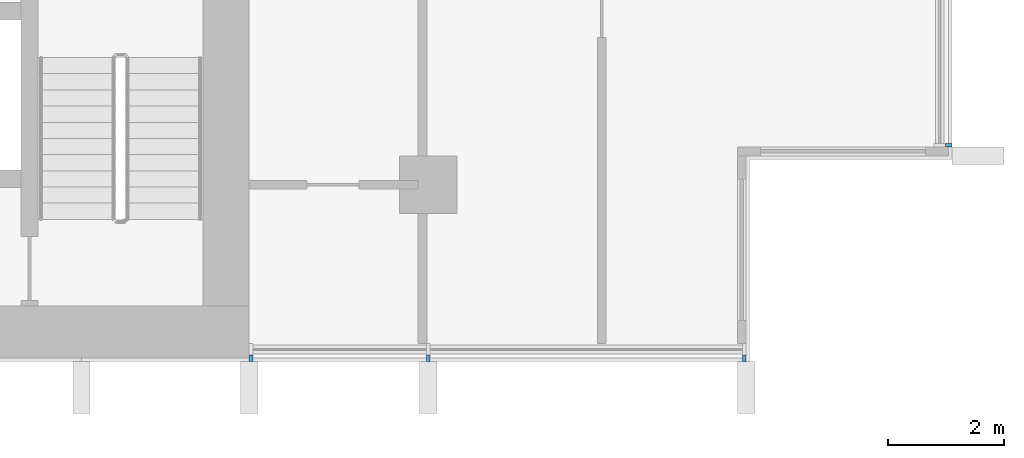
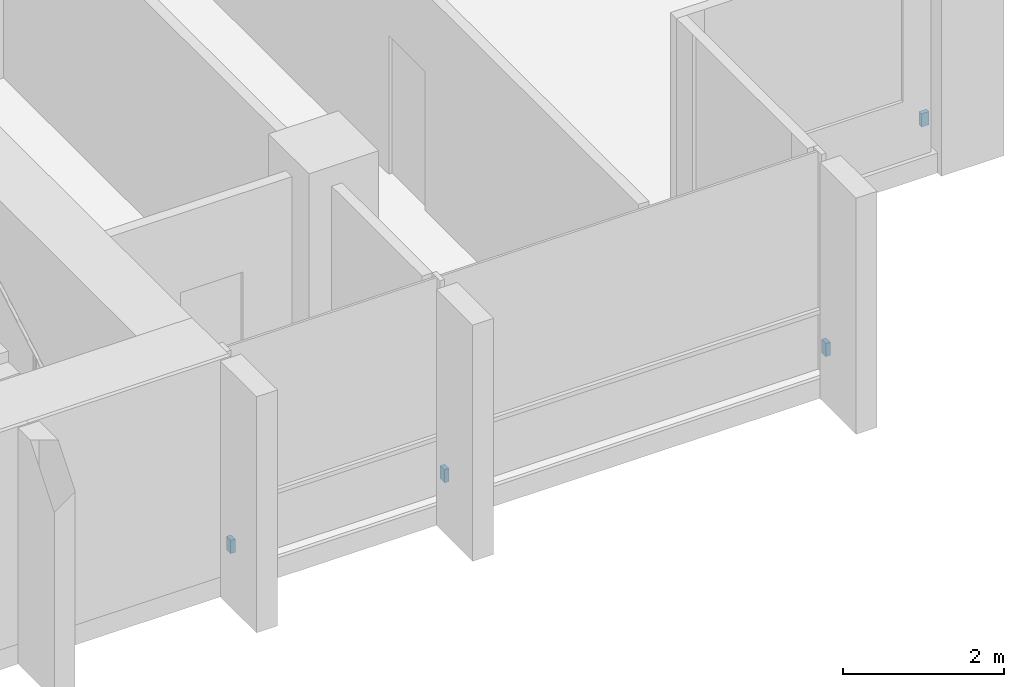
# One storey, part 15 of 18: 4 discrete accessories.
"""IFC4 building model written with IfcOpenShell, lengths in metres."""

import ifcopenshell
import ifcopenshell.guid

model = None  # the IFC model being written
_history = None  # IfcOwnerHistory: only IFC2X3 demands one
_inside = {}  # id of a spatial element -> (the spatial element, [elements in it])
_under = {}  # id of a project, library or spatial element -> (it, [spatial elements below it])
_declared = {}  # id of a project -> (the project, [libraries it declares])
_typed = {}  # id of a type object -> (the type object, [elements of that type])
_made_of = {}  # id of a material, layer set ... -> (it, [elements and type objects made of it])


def new_model(schema):
    """Start an empty IFC model of exactly this schema.

    Asked for "IFC4X3", IfcOpenShell would pick the latest addendum, in which some entities
    have other attributes; the version numbers below select the first issue.
    IFC2X3 requires an IfcOwnerHistory on every rooted entity: one is made here for all.
    """
    global model, _history
    if schema == "IFC4X3":
        model = ifcopenshell.file(schema_version=(4, 3, 0, 0))
    else:
        model = ifcopenshell.file(schema=schema)
    _inside.clear()
    _under.clear()
    _declared.clear()
    _typed.clear()
    _made_of.clear()
    _history = None
    if model.schema == "IFC2X3":
        org = make("IfcOrganization", Name="unknown")
        user = make(
            "IfcPersonAndOrganization",
            ThePerson=make("IfcPerson", FamilyName="unknown"),
            TheOrganization=org,
        )
        app = make(
            "IfcApplication",
            ApplicationDeveloper=org,
            Version="unknown",
            ApplicationFullName="unknown",
            ApplicationIdentifier="unknown",
        )
        _history = make(
            "IfcOwnerHistory",
            OwningUser=user,
            OwningApplication=app,
            ChangeAction="ADDED",
            CreationDate=0,
        )
    return model


def make(cls, **values):
    """One entity of the class cls with the attributes given. An attribute that is None is left unset."""
    return model.create_entity(
        cls, **{name: value for name, value in values.items() if value is not None}
    )


def rooted(cls, **values):
    """An entity with a GlobalId (a new one), such as an element, a storey or a relation."""
    return make(cls, GlobalId=ifcopenshell.guid.new(), OwnerHistory=_history, **values)


def si_unit(unit_type, name, prefix=None):
    """IfcSIUnit, for example si_unit("LENGTHUNIT", "METRE", prefix="MILLI")."""
    return make("IfcSIUnit", UnitType=unit_type, Prefix=prefix, Name=name)


def assignment(units):
    """IfcUnitAssignment: the units of a project."""
    return None if units is None else make("IfcUnitAssignment", Units=units)


def point(xyz):
    """IfcCartesianPoint."""
    return None if xyz is None else make("IfcCartesianPoint", Coordinates=xyz)


def direction(xyz):
    """IfcDirection."""
    return None if xyz is None else make("IfcDirection", DirectionRatios=xyz)


def frame(location, z_axis=None, x_axis=None):
    """IfcAxis2Placement3D, a coordinate frame: its origin and axes. An axis left out is left unset."""
    return make(
        "IfcAxis2Placement3D",
        Location=point(location),
        Axis=direction(z_axis),
        RefDirection=direction(x_axis),
    )


def frame_2d(location, x_axis=None):
    """IfcAxis2Placement2D, a coordinate frame in the plane: its origin and x axis."""
    return make(
        "IfcAxis2Placement2D", Location=point(location), RefDirection=direction(x_axis)
    )


def origin():
    """The frame at (0, 0, 0) with its axes left unset."""
    return frame((0.0, 0.0, 0.0))


def origin_2d():
    """The frame at (0, 0) in the plane with its x axis left unset."""
    return frame_2d((0.0, 0.0))


def place(relative_to, where):
    """IfcLocalPlacement: puts the frame where relative to a parent placement (None: the world)."""
    return make(
        "IfcLocalPlacement", PlacementRelTo=relative_to, RelativePlacement=where
    )


def context(
    kind, dimensions, precision=None, world=None, true_north=None, identifier=None
):
    """IfcGeometricRepresentationContext, for example the 3D "Model" context."""
    return make(
        "IfcGeometricRepresentationContext",
        ContextIdentifier=identifier,
        ContextType=kind,
        CoordinateSpaceDimension=dimensions,
        Precision=precision,
        WorldCoordinateSystem=world,
        TrueNorth=true_north,
    )


def subcontext(parent, identifier, kind, view, scale=None):
    """IfcGeometricRepresentationSubContext, for example "Body" below "Model"."""
    return make(
        "IfcGeometricRepresentationSubContext",
        ContextIdentifier=identifier,
        ContextType=kind,
        ParentContext=parent,
        TargetScale=scale,
        TargetView=view,
    )


def project(units=None, contexts=None):
    """IfcProject with its units and contexts."""
    return rooted(
        "IfcProject",
        Name="project",
        RepresentationContexts=contexts,
        UnitsInContext=assignment(units),
    )


def spatial(cls, under=None, at=None, **own):
    """A site, building, storey or space (cls), placed at a placement, below another one or the project."""
    s = rooted(cls, ObjectPlacement=at, **own)
    if under is not None:
        _under.setdefault(under.id(), (under, []))[1].append(s)
    return s


def profile(cls, at=None, kind="AREA", **sizes):
    """A parametric profile (cls). Its sizes go by their IFC names, for example OverallWidth=200.0."""
    return make(cls, ProfileType=kind, Position=at, **sizes)


def rectangle(**sizes):
    """IfcRectangleProfileDef."""
    return profile("IfcRectangleProfileDef", **sizes)


def extrude(swept, where, along, depth):
    """IfcExtrudedAreaSolid: the profile swept, set in the frame where, extruded along a direction by depth."""
    return make(
        "IfcExtrudedAreaSolid",
        SweptArea=swept,
        Position=where,
        ExtrudedDirection=direction(along),
        Depth=depth,
    )


def shape(context_of_items, identifier, shape_type, items):
    """IfcShapeRepresentation: the items that make up one representation, for example the "Body"."""
    return make(
        "IfcShapeRepresentation",
        ContextOfItems=context_of_items,
        RepresentationIdentifier=identifier,
        RepresentationType=shape_type,
        Items=items,
    )


def material(Name=None, Category=None):
    """IfcMaterial."""
    return make("IfcMaterial", Name=Name, Category=Category)


def made_of(thing, what):
    """Note that an element or type object is made of a material, layer set ...; save() writes the relation."""
    if what is not None:
        _made_of.setdefault(what.id(), (what, []))[1].append(thing)
    return thing


def type_object(cls, material=None, **own):
    """A type object (cls), such as IfcWallType, which elements share."""
    return made_of(rooted(cls, **own), material)


def element(
    cls,
    number,
    at=None,
    inside=None,
    cuts=None,
    type_object=None,
    material=None,
    context=None,
    identifier="Body",
    shape_type=None,
    held_by="IfcProductDefinitionShape",
    body=None,
    shapes=None,
    **own,
):
    """One element of the class cls, such as IfcWall. Its Tag is "e" and its number.

    at: its placement. inside: the storey or other place that contains it. cuts: it is an
    opening in that element (IfcRelVoidsElement). A single representation is given by context,
    identifier, shape_type and body (its items); several are given by shapes. held_by: the class
    of the entity that holds the representations. save() writes the other relations.
    """
    e = rooted(cls, Tag="e%d" % number, ObjectPlacement=at, **own)
    if body is not None:
        shapes = [shape(context, identifier, shape_type, body)]
    if shapes is not None:
        e.Representation = make(held_by, Representations=shapes)
    if inside is not None:
        _inside.setdefault(inside.id(), (inside, []))[1].append(e)
    if cuts is not None:
        rooted(
            "IfcRelVoidsElement", RelatingBuildingElement=cuts, RelatedOpeningElement=e
        )
    if type_object is not None:
        _typed.setdefault(type_object.id(), (type_object, []))[1].append(e)
    return made_of(e, material)


def aggregate(whole, parts):
    """IfcRelAggregates: a whole, such as a stair, and the parts it consists of."""
    return rooted("IfcRelAggregates", RelatingObject=whole, RelatedObjects=parts)


def save(model, path):
    """Write the relations noted so far, then the file.

    IfcRelAggregates (storeys below a building ...), IfcRelContainedInSpatialStructure (elements
    in a storey), IfcRelDefinesByType, IfcRelAssociatesMaterial and IfcRelDeclares: one each for
    every whole, place, type object, material and project.
    """
    for whole, parts in _under.values():
        aggregate(whole, parts)
    for where, things in _inside.values():
        rooted(
            "IfcRelContainedInSpatialStructure",
            RelatedElements=things,
            RelatingStructure=where,
        )
    for kind, things in _typed.values():
        rooted("IfcRelDefinesByType", RelatedObjects=things, RelatingType=kind)
    for what, things in _made_of.values():
        rooted("IfcRelAssociatesMaterial", RelatedObjects=things, RelatingMaterial=what)
    for by, libraries in _declared.values():
        rooted("IfcRelDeclares", RelatingContext=by, RelatedDefinitions=libraries)
    model.write(path)


model = new_model("IFC4")

# Units and contexts
model_context = context("Model", 3, precision=1e-05, world=origin(), true_north=direction((0.0, 1.0)))
body_context = subcontext(model_context, "Body", "Model", "MODEL_VIEW")
ifc_project = project(units=[si_unit("LENGTHUNIT", "METRE"), si_unit("AREAUNIT", "SQUARE_METRE"), si_unit("VOLUMEUNIT", "CUBIC_METRE"), si_unit("PLANEANGLEUNIT", "RADIAN"), si_unit("MASSUNIT", "GRAM", prefix="KILO")], contexts=[model_context])

# Site, building, storey
site_placement = place(None, origin())
site = spatial("IfcSite", under=ifc_project, at=site_placement, CompositionType="ELEMENT")
building_placement = place(site_placement, origin())
building = spatial("IfcBuilding", under=site, at=building_placement, Name="Finial Court Residences", CompositionType="ELEMENT")
storey_placement = place(building_placement, frame((0.0, 0.0, 109.89990234375)))
storey = spatial("IfcBuildingStorey", under=building, at=storey_placement, Name="L27", CompositionType="ELEMENT", Elevation=109.89990234375)

# Discrete accessories
ifc_material = material(Name="Stainless steel 316", Category="steel")
discrete_accessory_type = type_object("IfcDiscreteAccessoryType", Name="Fin bracket, stainless steel 65 x 110 x 200", PredefinedType="BRACKET", material=ifc_material)
discrete_accessory_placement = place(storey_placement, frame((25.5048828125, -21.8173828125, 0.30029296875), z_axis=(0.0, 0.0, 1.0), x_axis=(1.0, 0.0, 0.0)))
element("IfcDiscreteAccessory", 1, at=discrete_accessory_placement, inside=storey, type_object=discrete_accessory_type, Name="E-L27-FIN-E9-BRK", PredefinedType="BRACKET", context=body_context, shape_type="SweptSolid", body=[
    extrude(rectangle(XDim=0.110107421875, YDim=0.06494140625, at=origin_2d()), origin(), (0.0, 0.0, 1.0), 0.199951171875),
])
for number, where, z_axis, x_axis, name in (
    (2, (13.4326171875, -25.5048828125, 0.30029296875), (0.0, 0.0, 1.0), (1.0, 0.0, 0.0), "E-L27-FIN-S23-BRK"),
    (3, (16.5, -25.5048828125, 0.30029296875), (0.0, 0.0, 1.0), (1.0, 0.0, 0.0), "E-L27-FIN-S24-BRK"),
    (4, (21.967529296875, -25.5048828125, 0.30029296875), (0.0, 0.0, 1.0), (1.0, 0.0, 0.0), "E-L27-FIN-S25-BRK"),
):
    element("IfcDiscreteAccessory", number, at=place(storey_placement, frame(where, z_axis=z_axis, x_axis=x_axis)), inside=storey, type_object=discrete_accessory_type, Name=name, PredefinedType="BRACKET", context=body_context, shape_type="SweptSolid", body=[
        extrude(rectangle(XDim=0.06494140625, YDim=0.110107421875, at=origin_2d()), origin(), (0.0, 0.0, 1.0), 0.199951171875),
    ])

save(model, "model.ifc")
